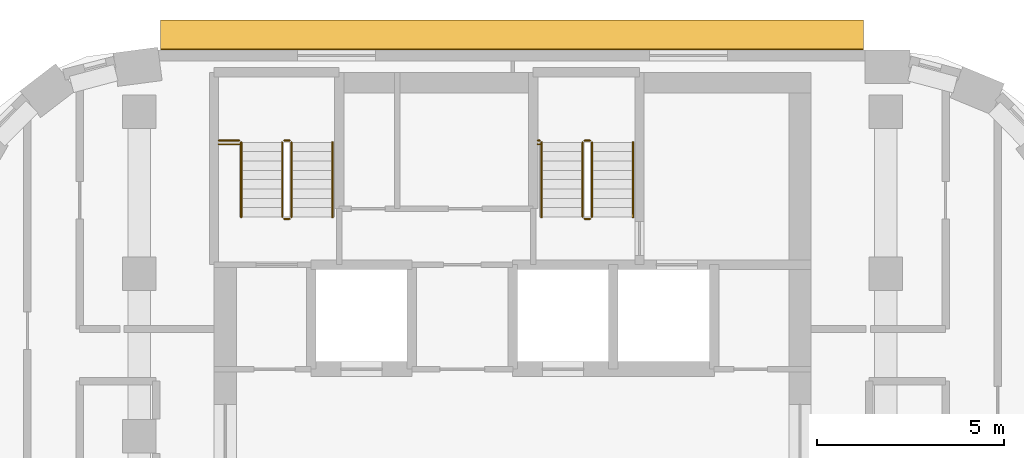
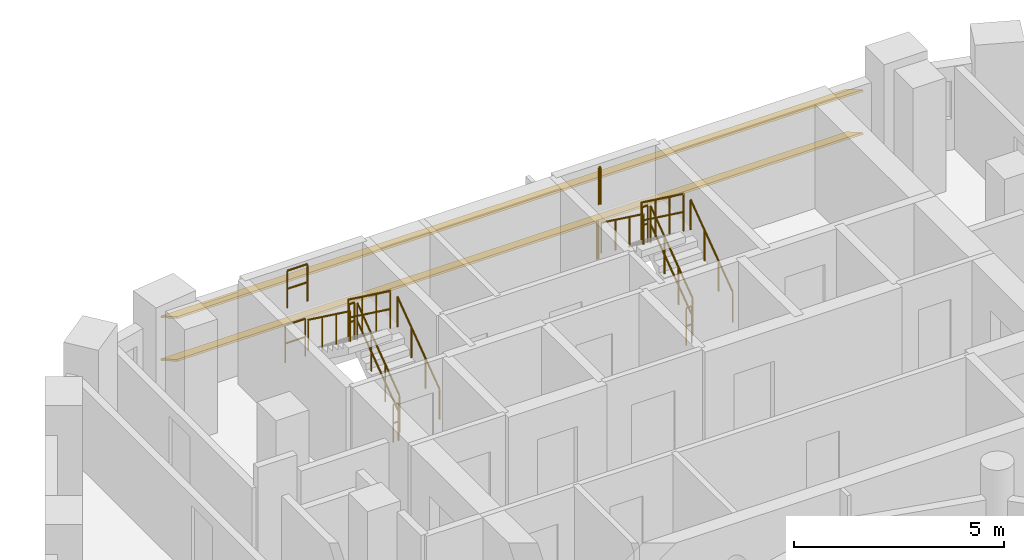
# One storey, part 15 of 15: 16 railings, 2 shading devices.
"""IFC4 building model written with IfcOpenShell, lengths in metres."""

from ifc_helpers import new_model, si_unit, direction, frame, origin, origin_2d, place, context, subcontext, project, spatial, rectangle, circle, extrude, material, material_profile, profile_set, type_object, element, save


model = new_model("IFC4")

# Units and contexts
model_context = context("Model", 3, precision=1e-05, world=origin(), true_north=direction((0.0, 1.0)))
body_context = subcontext(model_context, "Body", "Model", "MODEL_VIEW")
ifc_project = project(units=[si_unit("LENGTHUNIT", "METRE"), si_unit("AREAUNIT", "SQUARE_METRE"), si_unit("VOLUMEUNIT", "CUBIC_METRE"), si_unit("PLANEANGLEUNIT", "RADIAN"), si_unit("MASSUNIT", "GRAM", prefix="KILO")], contexts=[model_context])

# Site, building, storey
site_placement = place(None, origin())
site = spatial("IfcSite", under=ifc_project, at=site_placement, CompositionType="ELEMENT")
building_placement = place(site_placement, origin())
building = spatial("IfcBuilding", under=site, at=building_placement, Name="Nakaniwa Court", CompositionType="ELEMENT")
storey_placement = place(building_placement, frame((0.0, 0.0, 189.89990234375)))
storey = spatial("IfcBuildingStorey", under=building, at=storey_placement, Name="L49", CompositionType="ELEMENT", Elevation=189.89990234375)

# Shading devices
ifc_material_1 = material(Name="Perforated charcoal ceramic louvre blade")
ifc_material_profile = material_profile(ifc_material_1, rectangle(XDim=0.89990234375, YDim=0.050048828125, at=origin_2d()), Name="Perforated ceramic louvre blade")
ifc_profile_set = profile_set([ifc_material_profile], Name="Perforated charcoal ceramic louvre blade")
shading_device_type = type_object("IfcShadingDeviceType", Name="Perforated ceramic louvre blade", PredefinedType="JALOUSIE", material=ifc_profile_set)
for number, where, z_axis, x_axis, name in (
    (1, (89.3994140625, 103.05224609375, 0.550048828125), (-1.0, 0.0, 0.0), (0.0, -0.866025403784, 0.5), "L49 perforated ceramic louvre blade w08 1"),
    (2, (89.3994140625, 103.05224609375, 1.79345703125), (-1.0, 0.0, 0.0), (0.0, -0.866025403784, 0.5), "L49 perforated ceramic louvre blade w08 2"),
):
    element("IfcShadingDevice", number, at=place(storey_placement, frame(where, z_axis=z_axis, x_axis=x_axis)), inside=storey, type_object=shading_device_type, Name=name, PredefinedType="JALOUSIE", context=body_context, shape_type="SweptSolid", body=[
        extrude(rectangle(XDim=0.89990234375, YDim=0.050048828125, at=origin_2d()), origin(), (0.0, 0.0, 1.0), 18.8330078125),
    ])

# Railings
ifc_material_2 = material(Name="Black powder coated steel guard", Category="steel")
railing_type_1 = type_object("IfcRailingType", Name="Stair guard 1100", PredefinedType="GUARDRAIL", material=ifc_material_2)
railing_1_placement = place(storey_placement, frame((74.074951171875, 98.175048828125, 0.183349609375)))
element("IfcRailing", 3, at=railing_1_placement, inside=storey, type_object=railing_type_1, Name="L49 ST1 stair guard 1", PredefinedType="GUARDRAIL", context=body_context, shape_type="SweptSolid", body=[
    extrude(circle(Radius=0.02392578125, at=origin_2d()), frame((0.0, 0.0, 1.076171875), z_axis=(0.0, 0.806379959628, 0.591397802423), x_axis=(-1.0, 0.0, 0.0)), (0.0, 0.0, 1.0), 2.480224609375),
    extrude(circle(Radius=0.02392578125, at=origin_2d()), frame((0.0, 0.0, 0.550048828125), z_axis=(0.0, 0.806379959628, 0.591397802423), x_axis=(-1.0, 0.0, 0.0)), (0.0, 0.0, 1.0), 2.480224609375),
    extrude(circle(Radius=0.02099609375, at=origin_2d()), origin(), (0.0, 0.0, 1.0), 1.052001953125),
    extrude(circle(Radius=0.02099609375, at=origin_2d()), frame((0.0, 0.666748046875, 0.489013671875)), (0.0, 0.0, 1.0), 1.052001953125),
    extrude(circle(Radius=0.02099609375, at=origin_2d()), frame((0.0, 1.333251953125, 0.977783203125)), (0.0, 0.0, 1.0), 1.052001953125),
    extrude(circle(Radius=0.02099609375, at=origin_2d()), frame((0.0, 2.0, 1.466796875)), (0.0, 0.0, 1.0), 1.052001953125),
])
railing_2_placement = place(storey_placement, frame((74.02490234375, 100.22509765625, 1.650146484375)))
element("IfcRailing", 4, at=railing_2_placement, inside=storey, type_object=railing_type_1, Name="L49 ST1 stair guard 2", PredefinedType="GUARDRAIL", context=body_context, shape_type="SweptSolid", body=[
    extrude(circle(Radius=0.02392578125, at=origin_2d()), frame((0.0, 0.0, 1.076171875), z_axis=(-1.0, 0.0, 0.0), x_axis=(0.0, -1.0, 0.0)), (0.0, 0.0, 1.0), 0.14990234375),
    extrude(circle(Radius=0.02392578125, at=origin_2d()), frame((0.0, 0.0, 0.550048828125), z_axis=(-1.0, 0.0, 0.0), x_axis=(0.0, -1.0, 0.0)), (0.0, 0.0, 1.0), 0.14990234375),
    extrude(circle(Radius=0.02099609375, at=origin_2d()), origin(), (0.0, 0.0, 1.0), 1.052001953125),
    extrude(circle(Radius=0.02099609375, at=origin_2d()), frame((-0.14990234375, 0.0, 0.0)), (0.0, 0.0, 1.0), 1.052001953125),
])
railing_3_placement = place(storey_placement, frame((73.824951171875, 100.175048828125, 1.83349609375)))
element("IfcRailing", 5, at=railing_3_placement, inside=storey, type_object=railing_type_1, Name="L49 ST1 stair guard 3", PredefinedType="GUARDRAIL", context=body_context, shape_type="SweptSolid", body=[
    extrude(circle(Radius=0.02392578125, at=origin_2d()), frame((0.0, 0.0, 1.076171875), z_axis=(0.0, -0.806426902644, 0.591333789573), x_axis=(1.0, 0.0, 0.0)), (0.0, 0.0, 1.0), 2.47998046875),
    extrude(circle(Radius=0.02392578125, at=origin_2d()), frame((0.0, 0.0, 0.550048828125), z_axis=(0.0, -0.806426902644, 0.591333789573), x_axis=(1.0, 0.0, 0.0)), (0.0, 0.0, 1.0), 2.47998046875),
    extrude(circle(Radius=0.02099609375, at=origin_2d()), origin(), (0.0, 0.0, 1.0), 1.052001953125),
    extrude(circle(Radius=0.02099609375, at=origin_2d()), frame((0.0, -0.666748046875, 0.48876953125)), (0.0, 0.0, 1.0), 1.052001953125),
    extrude(circle(Radius=0.02099609375, at=origin_2d()), frame((0.0, -1.333251953125, 0.977783203125)), (0.0, 0.0, 1.0), 1.052001953125),
    extrude(circle(Radius=0.02099609375, at=origin_2d()), frame((0.0, -2.0, 1.466552734375)), (0.0, 0.0, 1.0), 1.052001953125),
])
railing_4_placement = place(storey_placement, frame((74.02490234375, 98.125, 0.0)))
element("IfcRailing", 6, at=railing_4_placement, inside=storey, type_object=railing_type_1, Name="L49 ST1 stair guard 4", PredefinedType="GUARDRAIL", context=body_context, shape_type="SweptSolid", body=[
    extrude(circle(Radius=0.02392578125, at=origin_2d()), frame((0.0, 0.0, 1.076171875), z_axis=(-1.0, 0.0, 0.0), x_axis=(0.0, -1.0, 0.0)), (0.0, 0.0, 1.0), 0.14990234375),
    extrude(circle(Radius=0.02392578125, at=origin_2d()), frame((0.0, 0.0, 0.550048828125), z_axis=(-1.0, 0.0, 0.0), x_axis=(0.0, -1.0, 0.0)), (0.0, 0.0, 1.0), 0.14990234375),
    extrude(circle(Radius=0.02099609375, at=origin_2d()), origin(), (0.0, 0.0, 1.0), 1.052001953125),
    extrude(circle(Radius=0.02099609375, at=origin_2d()), frame((-0.14990234375, 0.0, 0.0)), (0.0, 0.0, 1.0), 1.052001953125),
])
for number, where, name in (
    (7, (72.125, 100.22509765625, 1.650146484375), "L49 ST1 landing side guard 1W"),
    (8, (72.125, 100.125, 3.300048828125), "L49 ST1 floor edge guard 1W"),
):
    element("IfcRailing", number, at=place(storey_placement, frame(where)), inside=storey, type_object=railing_type_1, Name=name, PredefinedType="GUARDRAIL", context=body_context, shape_type="SweptSolid", body=[
        extrude(circle(Radius=0.02392578125, at=origin_2d()), frame((0.0, 0.0, 1.076171875), z_axis=(1.0, 0.0, 0.0), x_axis=(0.0, 1.0, 0.0)), (0.0, 0.0, 1.0), 0.550048828125),
        extrude(circle(Radius=0.02392578125, at=origin_2d()), frame((0.0, 0.0, 0.550048828125), z_axis=(1.0, 0.0, 0.0), x_axis=(0.0, 1.0, 0.0)), (0.0, 0.0, 1.0), 0.550048828125),
        extrude(circle(Radius=0.02099609375, at=origin_2d()), origin(), (0.0, 0.0, 1.0), 1.052001953125),
        extrude(circle(Radius=0.02099609375, at=origin_2d()), frame((0.550048828125, 0.0, 0.0)), (0.0, 0.0, 1.0), 1.052001953125),
    ])
railing_5_placement = place(storey_placement, frame((82.125, 98.175048828125, 0.183349609375)))
element("IfcRailing", 9, at=railing_5_placement, inside=storey, type_object=railing_type_1, Name="L49 ST2 stair guard 1", PredefinedType="GUARDRAIL", context=body_context, shape_type="SweptSolid", body=[
    extrude(circle(Radius=0.02392578125, at=origin_2d()), frame((0.0, 0.0, 1.076171875), z_axis=(0.0, 0.806379959628, 0.591397802423), x_axis=(-1.0, 0.0, 0.0)), (0.0, 0.0, 1.0), 2.480224609375),
    extrude(circle(Radius=0.02392578125, at=origin_2d()), frame((0.0, 0.0, 0.550048828125), z_axis=(0.0, 0.806379959628, 0.591397802423), x_axis=(-1.0, 0.0, 0.0)), (0.0, 0.0, 1.0), 2.480224609375),
    extrude(circle(Radius=0.02099609375, at=origin_2d()), origin(), (0.0, 0.0, 1.0), 1.052001953125),
    extrude(circle(Radius=0.02099609375, at=origin_2d()), frame((0.0, 0.666748046875, 0.489013671875)), (0.0, 0.0, 1.0), 1.052001953125),
    extrude(circle(Radius=0.02099609375, at=origin_2d()), frame((0.0, 1.333251953125, 0.977783203125)), (0.0, 0.0, 1.0), 1.052001953125),
    extrude(circle(Radius=0.02099609375, at=origin_2d()), frame((0.0, 2.0, 1.466796875)), (0.0, 0.0, 1.0), 1.052001953125),
])
railing_6_placement = place(storey_placement, frame((82.074951171875, 100.22509765625, 1.650146484375)))
element("IfcRailing", 10, at=railing_6_placement, inside=storey, type_object=railing_type_1, Name="L49 ST2 stair guard 2", PredefinedType="GUARDRAIL", context=body_context, shape_type="SweptSolid", body=[
    extrude(circle(Radius=0.02392578125, at=origin_2d()), frame((0.0, 0.0, 1.076171875), z_axis=(-1.0, 0.0, 0.0), x_axis=(0.0, -1.0, 0.0)), (0.0, 0.0, 1.0), 0.14990234375),
    extrude(circle(Radius=0.02392578125, at=origin_2d()), frame((0.0, 0.0, 0.550048828125), z_axis=(-1.0, 0.0, 0.0), x_axis=(0.0, -1.0, 0.0)), (0.0, 0.0, 1.0), 0.14990234375),
    extrude(circle(Radius=0.02099609375, at=origin_2d()), origin(), (0.0, 0.0, 1.0), 1.052001953125),
    extrude(circle(Radius=0.02099609375, at=origin_2d()), frame((-0.14990234375, 0.0, 0.0)), (0.0, 0.0, 1.0), 1.052001953125),
])
railing_7_placement = place(storey_placement, frame((81.875, 100.175048828125, 1.83349609375)))
element("IfcRailing", 11, at=railing_7_placement, inside=storey, type_object=railing_type_1, Name="L49 ST2 stair guard 3", PredefinedType="GUARDRAIL", context=body_context, shape_type="SweptSolid", body=[
    extrude(circle(Radius=0.02392578125, at=origin_2d()), frame((0.0, 0.0, 1.076171875), z_axis=(0.0, -0.806426902644, 0.591333789573), x_axis=(1.0, 0.0, 0.0)), (0.0, 0.0, 1.0), 2.47998046875),
    extrude(circle(Radius=0.02392578125, at=origin_2d()), frame((0.0, 0.0, 0.550048828125), z_axis=(0.0, -0.806426902644, 0.591333789573), x_axis=(1.0, 0.0, 0.0)), (0.0, 0.0, 1.0), 2.47998046875),
    extrude(circle(Radius=0.02099609375, at=origin_2d()), origin(), (0.0, 0.0, 1.0), 1.052001953125),
    extrude(circle(Radius=0.02099609375, at=origin_2d()), frame((0.0, -0.666748046875, 0.48876953125)), (0.0, 0.0, 1.0), 1.052001953125),
    extrude(circle(Radius=0.02099609375, at=origin_2d()), frame((0.0, -1.333251953125, 0.977783203125)), (0.0, 0.0, 1.0), 1.052001953125),
    extrude(circle(Radius=0.02099609375, at=origin_2d()), frame((0.0, -2.0, 1.466552734375)), (0.0, 0.0, 1.0), 1.052001953125),
])
railing_8_placement = place(storey_placement, frame((82.074951171875, 98.125, 0.0)))
element("IfcRailing", 12, at=railing_8_placement, inside=storey, type_object=railing_type_1, Name="L49 ST2 stair guard 4", PredefinedType="GUARDRAIL", context=body_context, shape_type="SweptSolid", body=[
    extrude(circle(Radius=0.02392578125, at=origin_2d()), frame((0.0, 0.0, 1.076171875), z_axis=(-1.0, 0.0, 0.0), x_axis=(0.0, -1.0, 0.0)), (0.0, 0.0, 1.0), 0.14990234375),
    extrude(circle(Radius=0.02392578125, at=origin_2d()), frame((0.0, 0.0, 0.550048828125), z_axis=(-1.0, 0.0, 0.0), x_axis=(0.0, -1.0, 0.0)), (0.0, 0.0, 1.0), 0.14990234375),
    extrude(circle(Radius=0.02099609375, at=origin_2d()), origin(), (0.0, 0.0, 1.0), 1.052001953125),
    extrude(circle(Radius=0.02099609375, at=origin_2d()), frame((-0.14990234375, 0.0, 0.0)), (0.0, 0.0, 1.0), 1.052001953125),
])
for number, where, name in (
    (13, (80.675048828125, 100.22509765625, 1.650146484375), "L49 ST2 landing side guard 1W"),
    (14, (80.675048828125, 100.125, 3.300048828125), "L49 ST2 floor edge guard 1W"),
):
    element("IfcRailing", number, at=place(storey_placement, frame(where)), inside=storey, type_object=railing_type_1, Name=name, PredefinedType="GUARDRAIL", context=body_context, shape_type="SweptSolid", body=[
        extrude(circle(Radius=0.02392578125, at=origin_2d()), frame((0.0, 0.0, 1.076171875), z_axis=(1.0, 0.0, 0.0), x_axis=(0.0, 1.0, 0.0)), (0.0, 0.0, 1.0), 0.050048828125),
        extrude(circle(Radius=0.02392578125, at=origin_2d()), frame((0.0, 0.0, 0.550048828125), z_axis=(1.0, 0.0, 0.0), x_axis=(0.0, 1.0, 0.0)), (0.0, 0.0, 1.0), 0.050048828125),
        extrude(circle(Radius=0.02099609375, at=origin_2d()), origin(), (0.0, 0.0, 1.0), 1.052001953125),
        extrude(circle(Radius=0.02099609375, at=origin_2d()), frame((0.050048828125, 0.0, 0.0)), (0.0, 0.0, 1.0), 1.052001953125),
    ])
ifc_material_3 = material(Name="Black powder coated steel handrail", Category="steel")
railing_type_2 = type_object("IfcRailingType", Name="Stair handrail 900", PredefinedType="HANDRAIL", material=ifc_material_3)
railing_9_placement = place(storey_placement, frame((75.175048828125, 98.175048828125, 0.183349609375)))
element("IfcRailing", 15, at=railing_9_placement, inside=storey, type_object=railing_type_2, Name="L49 ST1 stair handrail 1", PredefinedType="HANDRAIL", context=body_context, shape_type="SweptSolid", body=[
    extrude(circle(Radius=0.02392578125, at=origin_2d()), frame((0.0, 0.0, 0.8759765625), z_axis=(0.0, 0.806379959628, 0.591397802423), x_axis=(-1.0, 0.0, 0.0)), (0.0, 0.0, 1.0), 2.480224609375),
    extrude(circle(Radius=0.02099609375, at=origin_2d()), origin(), (0.0, 0.0, 1.0), 0.851806640625),
    extrude(circle(Radius=0.02099609375, at=origin_2d()), frame((0.0, 0.666748046875, 0.489013671875)), (0.0, 0.0, 1.0), 0.851806640625),
    extrude(circle(Radius=0.02099609375, at=origin_2d()), frame((0.0, 1.333251953125, 0.977783203125)), (0.0, 0.0, 1.0), 0.851806640625),
    extrude(circle(Radius=0.02099609375, at=origin_2d()), frame((0.0, 2.0, 1.466796875)), (0.0, 0.0, 1.0), 0.851806640625),
])
railing_10_placement = place(storey_placement, frame((72.72509765625, 100.175048828125, 1.83349609375)))
element("IfcRailing", 16, at=railing_10_placement, inside=storey, type_object=railing_type_2, Name="L49 ST1 stair handrail 2", PredefinedType="HANDRAIL", context=body_context, shape_type="SweptSolid", body=[
    extrude(circle(Radius=0.02392578125, at=origin_2d()), frame((0.0, 0.0, 0.8759765625), z_axis=(0.0, -0.806426902644, 0.591333789573), x_axis=(1.0, 0.0, 0.0)), (0.0, 0.0, 1.0), 2.47998046875),
    extrude(circle(Radius=0.02099609375, at=origin_2d()), origin(), (0.0, 0.0, 1.0), 0.851806640625),
    extrude(circle(Radius=0.02099609375, at=origin_2d()), frame((0.0, -0.666748046875, 0.48876953125)), (0.0, 0.0, 1.0), 0.851806640625),
    extrude(circle(Radius=0.02099609375, at=origin_2d()), frame((0.0, -1.333251953125, 0.977783203125)), (0.0, 0.0, 1.0), 0.851806640625),
    extrude(circle(Radius=0.02099609375, at=origin_2d()), frame((0.0, -2.0, 1.466552734375)), (0.0, 0.0, 1.0), 0.851806640625),
])
railing_11_placement = place(storey_placement, frame((83.22509765625, 98.175048828125, 0.183349609375)))
element("IfcRailing", 17, at=railing_11_placement, inside=storey, type_object=railing_type_2, Name="L49 ST2 stair handrail 1", PredefinedType="HANDRAIL", context=body_context, shape_type="SweptSolid", body=[
    extrude(circle(Radius=0.02392578125, at=origin_2d()), frame((0.0, 0.0, 0.8759765625), z_axis=(0.0, 0.806379959628, 0.591397802423), x_axis=(-1.0, 0.0, 0.0)), (0.0, 0.0, 1.0), 2.480224609375),
    extrude(circle(Radius=0.02099609375, at=origin_2d()), origin(), (0.0, 0.0, 1.0), 0.851806640625),
    extrude(circle(Radius=0.02099609375, at=origin_2d()), frame((0.0, 0.666748046875, 0.489013671875)), (0.0, 0.0, 1.0), 0.851806640625),
    extrude(circle(Radius=0.02099609375, at=origin_2d()), frame((0.0, 1.333251953125, 0.977783203125)), (0.0, 0.0, 1.0), 0.851806640625),
    extrude(circle(Radius=0.02099609375, at=origin_2d()), frame((0.0, 2.0, 1.466796875)), (0.0, 0.0, 1.0), 0.851806640625),
])
railing_12_placement = place(storey_placement, frame((80.77490234375, 100.175048828125, 1.83349609375)))
element("IfcRailing", 18, at=railing_12_placement, inside=storey, type_object=railing_type_2, Name="L49 ST2 stair handrail 2", PredefinedType="HANDRAIL", context=body_context, shape_type="SweptSolid", body=[
    extrude(circle(Radius=0.02392578125, at=origin_2d()), frame((0.0, 0.0, 0.8759765625), z_axis=(0.0, -0.806426902644, 0.591333789573), x_axis=(1.0, 0.0, 0.0)), (0.0, 0.0, 1.0), 2.47998046875),
    extrude(circle(Radius=0.02099609375, at=origin_2d()), origin(), (0.0, 0.0, 1.0), 0.851806640625),
    extrude(circle(Radius=0.02099609375, at=origin_2d()), frame((0.0, -0.666748046875, 0.48876953125)), (0.0, 0.0, 1.0), 0.851806640625),
    extrude(circle(Radius=0.02099609375, at=origin_2d()), frame((0.0, -1.333251953125, 0.977783203125)), (0.0, 0.0, 1.0), 0.851806640625),
    extrude(circle(Radius=0.02099609375, at=origin_2d()), frame((0.0, -2.0, 1.466552734375)), (0.0, 0.0, 1.0), 0.851806640625),
])

save(model, "model.ifc")
